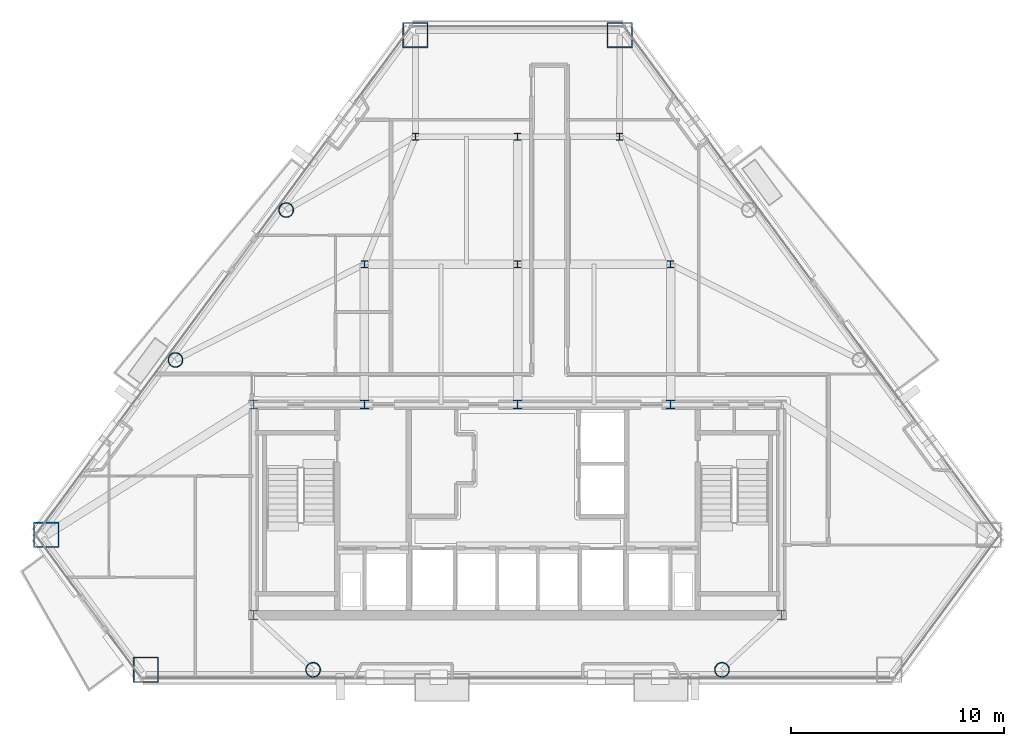
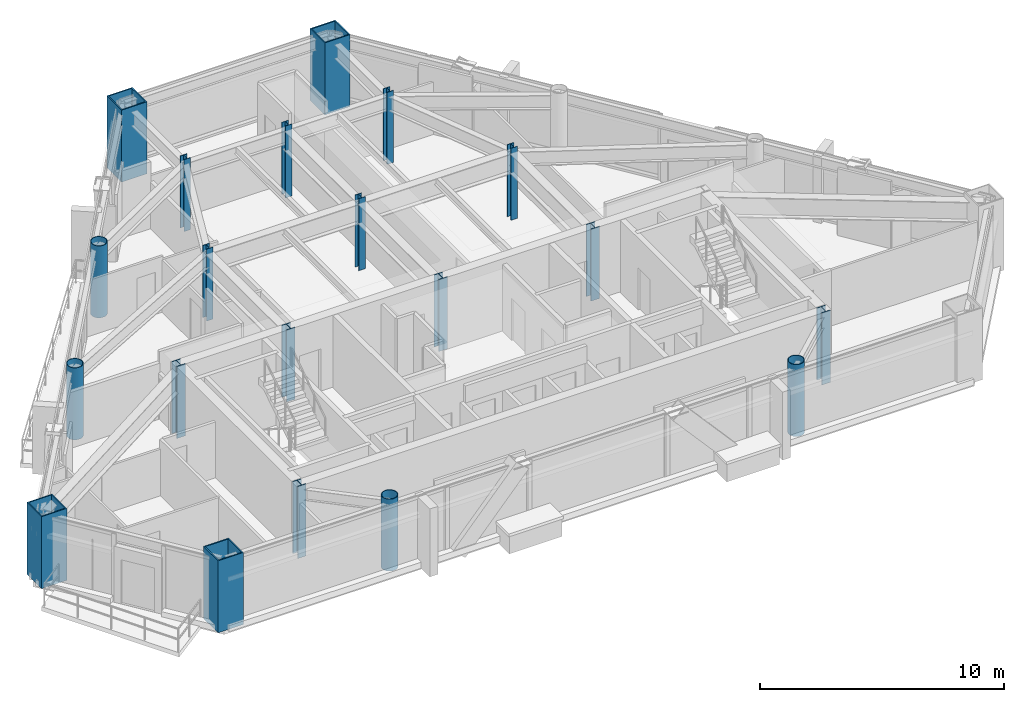
# One storey, part 1 of 11: 20 columns.
"""IFC4 building model written with IfcOpenShell, lengths in metres."""

from ifc_helpers import new_model, si_unit, direction, frame, origin, origin_2d, place, context, subcontext, project, spatial, hollow_rectangle, hollow_circle, i_section, extrude, material, material_profile, profile_set, type_object, element, save


model = new_model("IFC4")

# Units and contexts
model_context = context("Model", 3, precision=1e-05, world=origin(), true_north=direction((0.0, 1.0)))
body_context = subcontext(model_context, "Body", "Model", "MODEL_VIEW")
ifc_project = project(units=[si_unit("LENGTHUNIT", "METRE"), si_unit("AREAUNIT", "SQUARE_METRE"), si_unit("VOLUMEUNIT", "CUBIC_METRE"), si_unit("PLANEANGLEUNIT", "RADIAN"), si_unit("MASSUNIT", "GRAM", prefix="KILO")], contexts=[model_context])

# Site, building, storey
site_placement = place(None, origin())
site = spatial("IfcSite", under=ifc_project, at=site_placement, CompositionType="ELEMENT")
building_placement = place(site_placement, origin())
building = spatial("IfcBuilding", under=site, at=building_placement, Name="Talgorran Terracotta Tower", CompositionType="ELEMENT")
storey_placement = place(building_placement, frame((0.0, 0.0, 143.699951171875)))
storey = spatial("IfcBuildingStorey", under=building, at=storey_placement, Name="L37", CompositionType="ELEMENT", Elevation=143.699951171875)

# Columns
ifc_material_1 = material(Name="Steel S355 (300PLUS)", Category="steel")
ifc_material_profile_1 = material_profile(ifc_material_1, i_section(OverallWidth=0.311279296875, OverallDepth=0.3271484375, WebThickness=0.015625, FlangeThickness=0.02490234375, at=origin_2d()), Name="310UC158")
ifc_profile_set_1 = profile_set([ifc_material_profile_1], Name="Steel S355 (300PLUS)")
column_type_1 = type_object("IfcColumnType", Name="COL_310UC158", PredefinedType="COLUMN", material=ifc_profile_set_1)
for number, where, z_axis, x_axis, name in (
    (1, (-7.199951171875, 2.39990234375, 0.0), (0.0, 0.0, 1.0), (1.0, 0.0, 0.0), "L37 Interior Gravity Column IC1"),
    (2, (0.0, 2.39990234375, 0.0), (0.0, 0.0, 1.0), (1.0, 0.0, 0.0), "L37 Interior Gravity Column IC2"),
    (3, (7.199951171875, 2.39990234375, 0.0), (0.0, 0.0, 1.0), (1.0, 0.0, 0.0), "L37 Interior Gravity Column IC3"),
    (4, (-4.800048828125, 8.39990234375, 0.0), (0.0, 0.0, 1.0), (1.0, 0.0, 0.0), "L37 Interior Gravity Column IC4"),
    (5, (0.0, 8.39990234375, 0.0), (0.0, 0.0, 1.0), (1.0, 0.0, 0.0), "L37 Interior Gravity Column IC5"),
    (6, (4.800048828125, 8.39990234375, 0.0), (0.0, 0.0, 1.0), (1.0, 0.0, 0.0), "L37 Interior Gravity Column IC6"),
):
    element("IfcColumn", number, at=place(storey_placement, frame(where, z_axis=z_axis, x_axis=x_axis)), inside=storey, type_object=column_type_1, Name=name, PredefinedType="COLUMN", context=body_context, shape_type="SweptSolid", body=[
        extrude(i_section(OverallWidth=0.311279296875, OverallDepth=0.3271484375, WebThickness=0.015625, FlangeThickness=0.02490234375, at=origin_2d()), origin(), (0.0, 0.0, 1.0), 3.60009765625),
    ])
ifc_material_profile_2 = material_profile(ifc_material_1, i_section(OverallWidth=0.39990234375, OverallDepth=0.43994140625, WebThickness=0.028076171875, FlangeThickness=0.0400390625, at=origin_2d()), Name="400WC328")
ifc_profile_set_2 = profile_set([ifc_material_profile_2], Name="Steel S355 (300PLUS)")
column_type_2 = type_object("IfcColumnType", Name="COL_400WC328", PredefinedType="COLUMN", material=ifc_profile_set_2)
for number, where, z_axis, x_axis, name in (
    (7, (-12.39990234375, -14.10009765625, 0.0), (0.0, 0.0, 1.0), (1.0, 0.0, 0.0), "L37 Core Boundary Column CC1"),
    (8, (12.39990234375, -14.10009765625, 0.0), (0.0, 0.0, 1.0), (1.0, 0.0, 0.0), "L37 Core Boundary Column CC2"),
    (9, (-12.39990234375, -4.199951171875, 0.0), (0.0, 0.0, 1.0), (1.0, 0.0, 0.0), "L37 Core Boundary Column CC4"),
):
    element("IfcColumn", number, at=place(storey_placement, frame(where, z_axis=z_axis, x_axis=x_axis)), inside=storey, type_object=column_type_2, Name=name, PredefinedType="COLUMN", context=body_context, shape_type="SweptSolid", body=[
        extrude(i_section(OverallWidth=0.39990234375, OverallDepth=0.43994140625, WebThickness=0.028076171875, FlangeThickness=0.0400390625, at=origin_2d()), origin(), (0.0, 0.0, 1.0), 3.60009765625),
    ])
ifc_material_2 = material(Name="Steel Grade 350 (350L0)", Category="steel")
ifc_material_profile_3 = material_profile(ifc_material_2, hollow_rectangle(XDim=1.199951171875, YDim=1.199951171875, WallThickness=0.054931640625, at=origin_2d()), Name="CFT1200X1200X55")
ifc_profile_set_3 = profile_set([ifc_material_profile_3], Name="Steel Grade 350 (350L0)")
column_type_3 = type_object("IfcColumnType", Name="COL_CFT_1200", PredefinedType="COLUMN", material=ifc_profile_set_3)
for number, where, z_axis, x_axis, name in (
    (10, (-22.168212890625, -10.331298828125, 0.0), (0.0, 0.0, 1.0), (1.0, 0.0, 0.0), "L37 Corner CFT Mega-Column MC1"),
    (11, (-17.483642578125, -16.67431640625, 0.0), (0.0, 0.0, 1.0), (1.0, 0.0, 0.0), "L37 Corner CFT Mega-Column MC2"),
    (12, (4.80615234375, 13.177978515625, 0.0), (0.0, 0.0, 1.0), (1.0, 0.0, 0.0), "L37 Corner CFT Mega-Column MC5"),
    (13, (-4.80615234375, 13.177978515625, 0.0), (0.0, 0.0, 1.0), (1.0, 0.0, 0.0), "L37 Corner CFT Mega-Column MC6"),
):
    element("IfcColumn", number, at=place(storey_placement, frame(where, z_axis=z_axis, x_axis=x_axis)), inside=storey, type_object=column_type_3, Name=name, PredefinedType="COLUMN", context=body_context, shape_type="SweptSolid", body=[
        extrude(hollow_rectangle(XDim=1.199951171875, YDim=1.199951171875, WallThickness=0.054931640625, at=origin_2d()), origin(), (0.0, 0.0, 1.0), 3.60009765625),
    ])
ifc_material_profile_4 = material_profile(ifc_material_2, hollow_circle(Radius=0.35009765625, WallThickness=0.030029296875, at=origin_2d()), Name="CHS700X30")
ifc_profile_set_4 = profile_set([ifc_material_profile_4], Name="Steel Grade 350 (350L0)")
column_type_4 = type_object("IfcColumnType", Name="COL_CHS_700", PredefinedType="COLUMN", material=ifc_profile_set_4)
for number, where, z_axis, x_axis, name in (
    (14, (-9.615966796875, -16.67431640625, 0.0), (0.0, 0.0, 1.0), (1.0, 0.0, 0.0), "L37 Facet Perimeter Column FC1"),
    (15, (9.615966796875, -16.67431640625, 0.0), (0.0, 0.0, 1.0), (1.0, 0.0, 0.0), "L37 Facet Perimeter Column FC2"),
    (16, (-10.8828125, 4.94970703125, 0.0), (0.0, 0.0, 1.0), (1.0, 0.0, 0.0), "L37 Facet Perimeter Column FC5"),
    (17, (-16.091552734375, -2.10302734375, 0.0), (0.0, 0.0, 1.0), (1.0, 0.0, 0.0), "L37 Facet Perimeter Column FC6"),
):
    element("IfcColumn", number, at=place(storey_placement, frame(where, z_axis=z_axis, x_axis=x_axis)), inside=storey, type_object=column_type_4, Name=name, PredefinedType="COLUMN", context=body_context, shape_type="SweptSolid", body=[
        extrude(hollow_circle(Radius=0.35009765625, WallThickness=0.030029296875, at=origin_2d()), origin(), (0.0, 0.0, 1.0), 3.60009765625),
    ])
ifc_material_profile_5 = material_profile(ifc_material_1, i_section(OverallWidth=0.405029296875, OverallDepth=0.4140625, WebThickness=0.02197265625, FlangeThickness=0.031982421875, at=origin_2d()), Name="400WC270")
ifc_profile_set_5 = profile_set([ifc_material_profile_5], Name="Steel S355 (300PLUS)")
column_type_5 = type_object("IfcColumnType", Name="COL_PIL_400WC270", PredefinedType="PILASTER", material=ifc_profile_set_5)
for number, where, z_axis, x_axis, name in (
    (18, (-7.199951171875, -4.199951171875, 0.0), (0.0, 0.0, 1.0), (1.0, 0.0, 0.0), "L37 Core Shear Pilaster CP1"),
    (19, (0.0, -4.199951171875, 0.0), (0.0, 0.0, 1.0), (1.0, 0.0, 0.0), "L37 Core Shear Pilaster CP2"),
    (20, (7.199951171875, -4.199951171875, 0.0), (0.0, 0.0, 1.0), (1.0, 0.0, 0.0), "L37 Core Shear Pilaster CP3"),
):
    element("IfcColumn", number, at=place(storey_placement, frame(where, z_axis=z_axis, x_axis=x_axis)), inside=storey, type_object=column_type_5, Name=name, PredefinedType="PILASTER", context=body_context, shape_type="SweptSolid", body=[
        extrude(i_section(OverallWidth=0.405029296875, OverallDepth=0.4140625, WebThickness=0.02197265625, FlangeThickness=0.031982421875, at=origin_2d()), origin(), (0.0, 0.0, 1.0), 3.60009765625),
    ])

save(model, "model.ifc")
